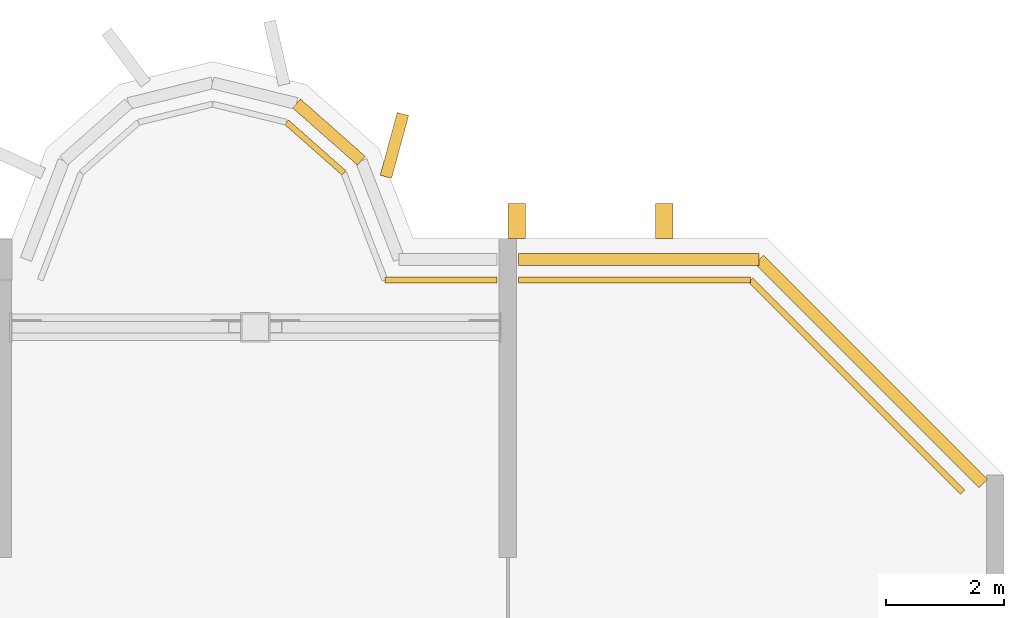
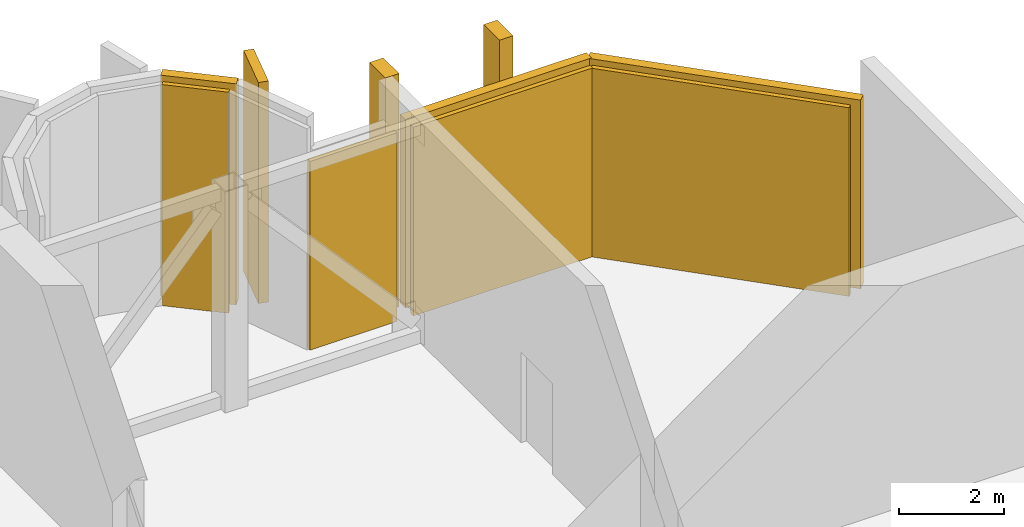
# One storey, part 15 of 15: 7 coverings, 3 shading devices.
"""IFC4 building model written with IfcOpenShell, lengths in metres."""

from ifc_helpers import new_model, si_unit, direction, frame, origin, origin_2d, place, context, subcontext, project, spatial, rectangle, extrude, source, transform, mapped, material, layer, layer_set, material_profile, profile_set, type_object, element, save


model = new_model("IFC4")

# Units and contexts
model_context = context("Model", 3, precision=1e-05, world=origin(), true_north=direction((0.0, 1.0)))
body_context = subcontext(model_context, "Body", "Model", "MODEL_VIEW")
ifc_project = project(units=[si_unit("LENGTHUNIT", "METRE"), si_unit("AREAUNIT", "SQUARE_METRE"), si_unit("VOLUMEUNIT", "CUBIC_METRE"), si_unit("PLANEANGLEUNIT", "RADIAN"), si_unit("MASSUNIT", "GRAM", prefix="KILO")], contexts=[model_context])

# Site, building, storey
site_placement = place(None, origin())
site = spatial("IfcSite", under=ifc_project, at=site_placement, CompositionType="ELEMENT")
building_placement = place(site_placement, origin())
building = spatial("IfcBuilding", under=site, at=building_placement, Name="Vanashikhar Sky Hotel", CompositionType="ELEMENT")
storey_placement = place(building_placement, frame((0.0, 0.0, 201.0)))
storey = spatial("IfcBuildingStorey", under=building, at=storey_placement, Name="L49", CompositionType="ELEMENT", Elevation=201.0)

# Shading device
ifc_material_1 = material(Name="Aluminium", Category="aluminium")
ifc_layer_1 = layer(ifc_material_1, 0.199951171875)
ifc_layer_set_1 = layer_set([ifc_layer_1], Name="Aluminium louvre band")
shading_device_type = type_object("IfcShadingDeviceType", Name="Aluminium louvre band", PredefinedType="USERDEFINED", material=ifc_layer_set_1)
shared_shape_1 = source(origin(), body_context, "Body", "SweptSolid", [
    extrude(rectangle(XDim=1.464599609375, YDim=0.199951171875, at=origin_2d()), origin(), (0.0, 0.0, 1.0), 5.1201171875),
])
shading_device_1_placement = place(storey_placement, frame((80.969970703125, 43.805908203125, 0.0), z_axis=(0.0, 0.0, 1.0), x_axis=(-0.749741606437, 0.661730703214, 0.0)))
element("IfcShadingDevice", 1, at=shading_device_1_placement, inside=storey, type_object=shading_device_type, Name="Louvre band", ObjectType="LOUVRE", PredefinedType="USERDEFINED", context=body_context, shape_type="MappedRepresentation", body=[
    mapped(shared_shape_1, transform((0.0, 0.0, 0.0), scale=1.0)),
])

# Coverings
ifc_material_2 = material(Name="Concrete M40", Category="concrete")
ifc_layer_2 = layer(ifc_material_2, 0.10009765625)
ifc_layer_set_2 = layer_set([ifc_layer_2], Name="Plant floor cladding panel")
covering_type_1 = type_object("IfcCoveringType", Name="Plant floor cladding panel", PredefinedType="CLADDING", material=ifc_layer_set_2)
shared_shape_2 = source(origin(), body_context, "Body", "SweptSolid", [
    extrude(rectangle(XDim=5.076904296875, YDim=0.10009765625, at=origin_2d()), origin(), (0.0, 0.0, 1.0), 4.3701171875),
])
covering_1_placement = place(storey_placement, frame((89.905029296875, 39.5048828125, 0.0), z_axis=(0.0, 0.0, 1.0), x_axis=(-0.707106781187, 0.707106781187, 0.0)))
element("IfcCovering", 2, at=covering_1_placement, inside=storey, type_object=covering_type_1, Name="Plant floor cladding panel", PredefinedType="CLADDING", context=body_context, shape_type="MappedRepresentation", body=[
    mapped(shared_shape_2, transform((0.0, 0.0, 0.0), scale=1.0)),
])
shared_shape_3 = source(origin(), body_context, "Body", "SweptSolid", [
    extrude(rectangle(XDim=1.29248046875, YDim=0.10009765625, at=origin_2d()), origin(), (0.0, 0.0, 1.0), 5.1201171875),
])
covering_2_placement = place(storey_placement, frame((80.73828125, 43.543701171875, 0.0), z_axis=(0.0, 0.0, 1.0), x_axis=(-0.749683856685, 0.661796127993, 0.0)))
element("IfcCovering", 3, at=covering_2_placement, inside=storey, type_object=covering_type_1, Name="Plant floor cladding panel", PredefinedType="CLADDING", context=body_context, shape_type="MappedRepresentation", body=[
    mapped(shared_shape_3, transform((0.0, 0.0, 0.0), scale=1.0)),
])
ifc_material_3 = material(Name="Concrete M60 dark", Category="concrete")
ifc_material_profile_1 = material_profile(ifc_material_3, rectangle(XDim=1.10009765625, YDim=0.199951171875, at=origin_2d()))
ifc_profile_set_1 = profile_set([ifc_material_profile_1], Name="Rear lobe fin 1100 x 200")
covering_type_2 = type_object("IfcCoveringType", Name="Rear lobe fin 1100 x 200", PredefinedType="CLADDING", material=ifc_profile_set_1)
shared_shape_4 = source(origin(), body_context, "Body", "SweptSolid", [
    extrude(rectangle(XDim=1.10009765625, YDim=0.199951171875, at=origin_2d()), origin(), (0.0, 0.0, 1.0), 5.1201171875),
])
covering_3_placement = place(storey_placement, frame((82.0791015625, 43.580078125, 0.0), z_axis=(0.0, 0.0, 1.0), x_axis=(0.262711264409, 0.964874495234, 0.0)))
element("IfcCovering", 4, at=covering_3_placement, inside=storey, type_object=covering_type_2, Name="Fin R2-4", PredefinedType="CLADDING", context=body_context, shape_type="MappedRepresentation", body=[
    mapped(shared_shape_4, transform((0.0, 0.0, 0.0), scale=1.0)),
])

# Shading devices
shared_shape_5 = source(origin(), body_context, "Body", "SweptSolid", [
    extrude(rectangle(XDim=4.074951171875, YDim=0.199951171875, at=origin_2d()), origin(), (0.0, 0.0, 1.0), 4.3701171875),
])
shading_device_2_placement = place(storey_placement, frame((86.217529296875, 41.64990234375, 0.0), z_axis=(0.0, 0.0, 1.0), x_axis=(-1.0, 0.0, 0.0)))
element("IfcShadingDevice", 5, at=shading_device_2_placement, inside=storey, type_object=shading_device_type, Name="Louvre band", ObjectType="LOUVRE", PredefinedType="USERDEFINED", context=body_context, shape_type="MappedRepresentation", body=[
    mapped(shared_shape_5, transform((0.0, 0.0, 0.0), scale=1.0)),
])
shared_shape_6 = source(origin(), body_context, "Body", "SweptSolid", [
    extrude(rectangle(XDim=5.366943359375, YDim=0.199951171875, at=origin_2d()), origin(), (0.0, 0.0, 1.0), 4.3701171875),
])
shading_device_3_placement = place(storey_placement, frame((90.152587890625, 39.75244140625, 0.0), z_axis=(0.0, 0.0, 1.0), x_axis=(-0.707106781187, 0.707106781187, 0.0)))
element("IfcShadingDevice", 6, at=shading_device_3_placement, inside=storey, type_object=shading_device_type, Name="Louvre band", ObjectType="LOUVRE", PredefinedType="USERDEFINED", context=body_context, shape_type="MappedRepresentation", body=[
    mapped(shared_shape_6, transform((0.0, 0.0, 0.0), scale=1.0)),
])

# Coverings
shared_shape_7 = source(origin(), body_context, "Body", "SweptSolid", [
    extrude(rectangle(XDim=3.93017578125, YDim=0.10009765625, at=origin_2d()), origin(), (0.0, 0.0, 1.0), 4.3701171875),
])
covering_4_placement = place(storey_placement, frame((86.14501953125, 41.300048828125, 0.0), z_axis=(0.0, 0.0, 1.0), x_axis=(-1.0, 0.0, 0.0)))
element("IfcCovering", 7, at=covering_4_placement, inside=storey, type_object=covering_type_1, Name="Plant floor cladding panel", PredefinedType="CLADDING", context=body_context, shape_type="MappedRepresentation", body=[
    mapped(shared_shape_7, transform((0.0, 0.0, 0.0), scale=1.0)),
])
shared_shape_8 = source(origin(), body_context, "Body", "SweptSolid", [
    extrude(rectangle(XDim=1.9013671875, YDim=0.10009765625, at=origin_2d()), origin(), (0.0, 0.0, 1.0), 4.3701171875),
])
covering_5_placement = place(storey_placement, frame((82.869384765625, 41.300048828125, 0.0), z_axis=(0.0, 0.0, 1.0), x_axis=(-1.0, 0.0, 0.0)))
element("IfcCovering", 8, at=covering_5_placement, inside=storey, type_object=covering_type_1, Name="Plant floor cladding panel", PredefinedType="CLADDING", context=body_context, shape_type="MappedRepresentation", body=[
    mapped(shared_shape_8, transform((0.0, 0.0, 0.0), scale=1.0)),
])
ifc_material_profile_2 = material_profile(ifc_material_3, rectangle(XDim=0.60009765625, YDim=0.300048828125, at=origin_2d()))
ifc_profile_set_2 = profile_set([ifc_material_profile_2], Name="Rear rib 600 x 300")
covering_type_3 = type_object("IfcCoveringType", Name="Rear rib 600 x 300", PredefinedType="CLADDING", material=ifc_profile_set_2)
shared_shape_9 = source(origin(), body_context, "Body", "SweptSolid", [
    extrude(rectangle(XDim=0.60009765625, YDim=0.300048828125, at=origin_2d()), origin(), (0.0, 0.0, 1.0), 5.400146484375),
])
for number, where, z_axis, x_axis, name in (
    (9, (84.14990234375, 42.300048828125, -0.280029296875), (0.0, 0.0, 1.0), (0.0, 1.0, 0.0), "Rear rib"),
    (10, (86.64990234375, 42.300048828125, -0.280029296875), (0.0, 0.0, 1.0), (0.0, 1.0, 0.0), "Rear rib"),
):
    element("IfcCovering", number, at=place(storey_placement, frame(where, z_axis=z_axis, x_axis=x_axis)), inside=storey, type_object=covering_type_3, Name=name, PredefinedType="CLADDING", context=body_context, shape_type="MappedRepresentation", body=[
        mapped(shared_shape_9, transform((0.0, 0.0, 0.0), scale=1.0)),
    ])

save(model, "model.ifc")
